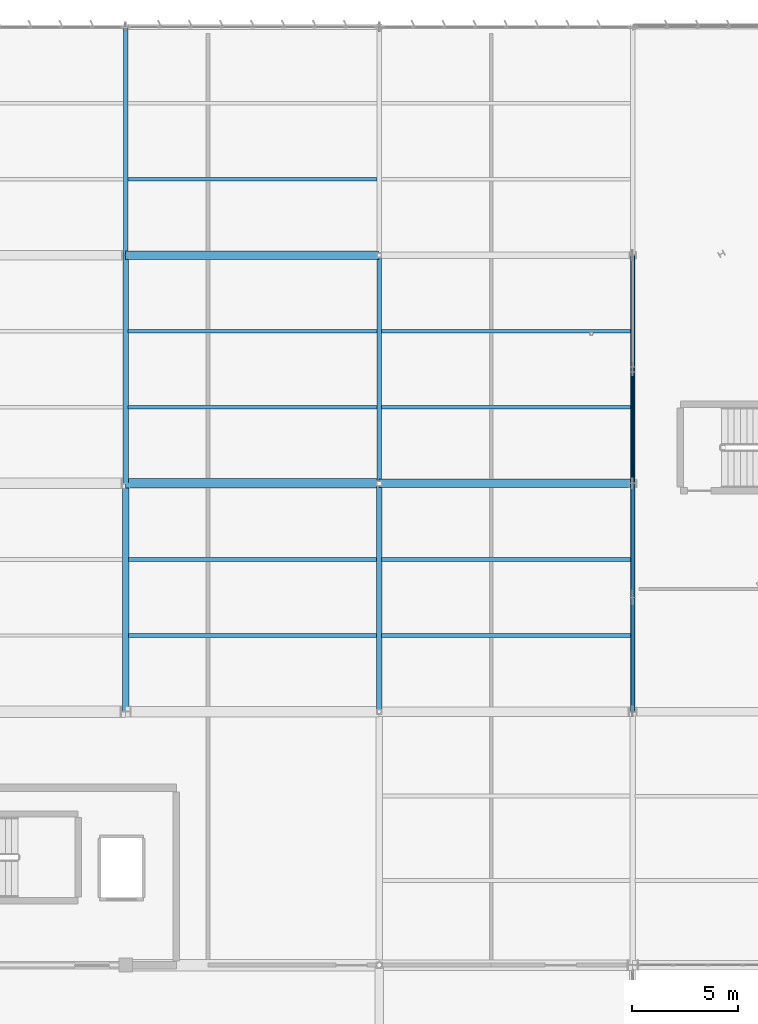
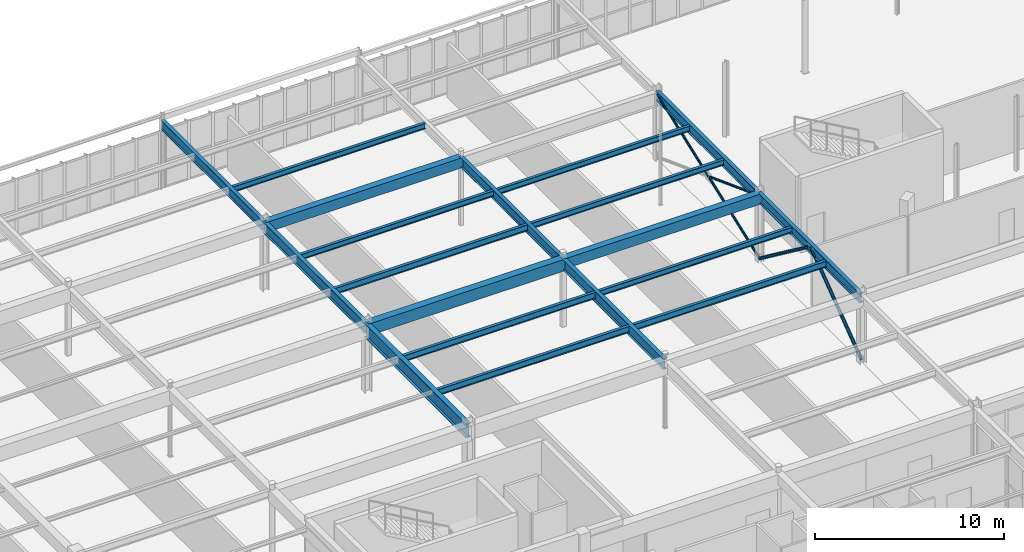
# One storey, part 93 of 226: 19 beams, 4 members.
"""IFC4 building model written with IfcOpenShell, lengths in metres."""

from ifc_helpers import new_model, si_unit, direction, frame, origin, origin_2d, place, context, subcontext, project, spatial, rectangle, hollow_circle, i_section, extrude, material, material_profile, profile_set, type_object, element, save


model = new_model("IFC4")

# Units and contexts
model_context = context("Model", 3, precision=1e-05, world=origin(), true_north=direction((0.0, 1.0)))
body_context = subcontext(model_context, "Body", "Model", "MODEL_VIEW")
ifc_project = project(units=[si_unit("LENGTHUNIT", "METRE"), si_unit("AREAUNIT", "SQUARE_METRE"), si_unit("VOLUMEUNIT", "CUBIC_METRE"), si_unit("PLANEANGLEUNIT", "RADIAN"), si_unit("MASSUNIT", "GRAM", prefix="KILO")], contexts=[model_context])

# Site, building, storey
site_placement = place(None, origin())
site = spatial("IfcSite", under=ifc_project, at=site_placement, CompositionType="ELEMENT")
building_placement = place(site_placement, origin())
building = spatial("IfcBuilding", under=site, at=building_placement, Name="Tarnwether General Hospital", CompositionType="ELEMENT")
storey_placement = place(building_placement, frame((0.0, 0.0, 4.800048828125)))
storey = spatial("IfcBuildingStorey", under=building, at=storey_placement, Name="L01", CompositionType="ELEMENT", Elevation=4.800048828125)

# Beams
ifc_material_1 = material(Name="Steel Grade 350 (350 MPa)", Category="steel")
ifc_material_profile_1 = material_profile(ifc_material_1, i_section(OverallWidth=0.300048828125, OverallDepth=0.89990234375, WebThickness=0.011962890625, FlangeThickness=0.02001953125, at=origin_2d()), Name="900WB175")
ifc_profile_set_1 = profile_set([ifc_material_profile_1], Name="Steel Grade 350 (350 MPa)")
beam_type_1 = type_object("IfcBeamType", Name="BM-G01", PredefinedType="BEAM", material=ifc_profile_set_1)
beam_1_placement = place(storey_placement, frame((36.0, 93.60009765625, 3.97998046875), z_axis=(0.0, 1.0, 0.0), x_axis=(-1.0, 0.0, 0.0)))
element("IfcBeam", 1, at=beam_1_placement, inside=storey, type_object=beam_type_1, Name="Primary Girder BMG-L01-3600_9360-3600_10440-1097", PredefinedType="BEAM", context=body_context, shape_type="SweptSolid", body=[
    extrude(i_section(OverallWidth=0.300048828125, OverallDepth=0.89990234375, WebThickness=0.011962890625, FlangeThickness=0.02001953125, at=origin_2d()), origin(), (0.0, 0.0, 1.0), 10.7998046875),
])
ifc_material_2 = material(Name="Steel Grade 350 (350 MPa)", Category="steel")
ifc_material_profile_2 = material_profile(ifc_material_2, i_section(OverallWidth=0.25, OverallDepth=0.69189453125, WebThickness=0.009033203125, FlangeThickness=0.01611328125, at=origin_2d()), Name="700WB115")
ifc_profile_set_2 = profile_set([ifc_material_profile_2], Name="Steel Grade 350 (350 MPa)")
beam_type_2 = type_object("IfcBeamType", Name="BM-G02", PredefinedType="BEAM", material=ifc_profile_set_2)
beam_2_placement = place(storey_placement, frame((36.0, 104.39990234375, 4.083984375), z_axis=(0.0, 1.0, 0.0), x_axis=(-1.0, 0.0, 0.0)))
element("IfcBeam", 2, at=beam_2_placement, inside=storey, type_object=beam_type_2, Name="Primary Girder BMG-L01-3600_10440-3600_11520-1099", PredefinedType="BEAM", context=body_context, shape_type="SweptSolid", body=[
    extrude(i_section(OverallWidth=0.25, OverallDepth=0.69189453125, WebThickness=0.009033203125, FlangeThickness=0.01611328125, at=origin_2d()), origin(), (0.0, 0.0, 1.0), 10.800048828125),
])
beam_3_placement = place(storey_placement, frame((48.0, 93.60009765625, 4.083984375), z_axis=(0.0, 1.0, 0.0), x_axis=(-1.0, 0.0, 0.0)))
element("IfcBeam", 3, at=beam_3_placement, inside=storey, type_object=beam_type_2, Name="Primary Girder BMG-L01-4800_9360-4800_10440-1112", PredefinedType="BEAM", context=body_context, shape_type="SweptSolid", body=[
    extrude(i_section(OverallWidth=0.25, OverallDepth=0.69189453125, WebThickness=0.009033203125, FlangeThickness=0.01611328125, at=origin_2d()), origin(), (0.0, 0.0, 1.0), 10.7998046875),
])
ifc_material_3 = material(Name="Steel Grade 350 (350 MPa)", Category="steel")
ifc_material_profile_3 = material_profile(ifc_material_3, i_section(OverallWidth=0.22900390625, OverallDepth=0.612060546875, WebThickness=0.011962890625, FlangeThickness=0.01953125, at=origin_2d()), Name="610UB125")
ifc_profile_set_3 = profile_set([ifc_material_profile_3], Name="Steel Grade 350 (350 MPa)")
beam_type_3 = type_object("IfcBeamType", Name="BM-G03", PredefinedType="BEAM", material=ifc_profile_set_3)
for number, where, z_axis, x_axis, name in (
    (4, (36.0, 115.199951171875, 4.1240234375), (0.0, 1.0, 0.0), (-1.0, 0.0, 0.0), "Primary Girder BMG-L01-3600_11520-3600_12600-1101"),
    (5, (48.0, 104.39990234375, 4.1240234375), (0.0, 1.0, 0.0), (-1.0, 0.0, 0.0), "Primary Girder BMG-L01-4800_10440-4800_11520-1114"),
):
    element("IfcBeam", number, at=place(storey_placement, frame(where, z_axis=z_axis, x_axis=x_axis)), inside=storey, type_object=beam_type_3, Name=name, PredefinedType="BEAM", context=body_context, shape_type="SweptSolid", body=[
        extrude(i_section(OverallWidth=0.22900390625, OverallDepth=0.612060546875, WebThickness=0.011962890625, FlangeThickness=0.01953125, at=origin_2d()), origin(), (0.0, 0.0, 1.0), 10.800048828125),
    ])
beam_4_placement = place(storey_placement, frame((60.0, 93.60009765625, 4.138916015625), z_axis=(0.0, 1.0, 0.0), x_axis=(-1.0, 0.0, 0.0)))
element("IfcBeam", 6, at=beam_4_placement, inside=storey, type_object=beam_type_3, Name="Primary Girder BMG-L01-6000_9360-6000_10440-1131", PredefinedType="BEAM", context=body_context, shape_type="SweptSolid", body=[
    extrude(i_section(OverallWidth=0.22900390625, OverallDepth=0.612060546875, WebThickness=0.011962890625, FlangeThickness=0.01953125, at=origin_2d()), origin(), (0.0, 0.0, 1.0), 10.7998046875),
])
ifc_material_4 = material(Name="Steel Grade 350 (350 MPa)", Category="steel")
ifc_material_profile_4 = material_profile(ifc_material_4, i_section(OverallWidth=0.22802734375, OverallDepth=0.60693359375, WebThickness=0.01123046875, FlangeThickness=0.017333984375, at=origin_2d()), Name="610UB113")
ifc_profile_set_4 = profile_set([ifc_material_profile_4], Name="Steel Grade 350 (350 MPa)")
beam_type_4 = type_object("IfcBeamType", Name="BM-G04", PredefinedType="BEAM", material=ifc_profile_set_4)
beam_5_placement = place(storey_placement, frame((60.0, 104.39990234375, 4.141357421875), z_axis=(0.0, 1.0, 0.0), x_axis=(-1.0, 0.0, 0.0)))
element("IfcBeam", 7, at=beam_5_placement, inside=storey, type_object=beam_type_4, Name="Primary Girder BMG-L01-6000_10440-6000_11520-1132", PredefinedType="BEAM", context=body_context, shape_type="SweptSolid", body=[
    extrude(i_section(OverallWidth=0.22802734375, OverallDepth=0.60693359375, WebThickness=0.01123046875, FlangeThickness=0.017333984375, at=origin_2d()), origin(), (0.0, 0.0, 1.0), 10.800048828125),
])
ifc_material_5 = material(Name="Concrete 40 MPa", Category="concrete")
ifc_material_profile_5 = material_profile(ifc_material_5, rectangle(XDim=0.449951171875, YDim=0.75, at=origin_2d()), Name="RC-BM-450x750")
ifc_profile_set_5 = profile_set([ifc_material_profile_5], Name="Concrete 40 MPa")
beam_type_5 = type_object("IfcBeamType", Name="BM-G13", PredefinedType="BEAM", material=ifc_profile_set_5)
beam_6_placement = place(storey_placement, frame((36.0, 104.39990234375, 4.054931640625), z_axis=(1.0, 0.0, 0.0), x_axis=(0.0, 1.0, 0.0)))
element("IfcBeam", 8, at=beam_6_placement, inside=storey, type_object=beam_type_5, Name="Primary Girder BMG-L01-3600_10440-4800_10440-1098", PredefinedType="BEAM", context=body_context, shape_type="SweptSolid", body=[
    extrude(rectangle(XDim=0.449951171875, YDim=0.75, at=origin_2d()), origin(), (0.0, 0.0, 1.0), 12.0),
])
ifc_material_6 = material(Name="Concrete 40 MPa", Category="concrete")
ifc_material_profile_6 = material_profile(ifc_material_6, rectangle(XDim=0.39990234375, YDim=0.64990234375, at=origin_2d()), Name="RC-BM-400x650")
ifc_profile_set_6 = profile_set([ifc_material_profile_6], Name="Concrete 40 MPa")
beam_type_6 = type_object("IfcBeamType", Name="BM-G14", PredefinedType="BEAM", material=ifc_profile_set_6)
for number, where, z_axis, x_axis, name in (
    (9, (36.0, 115.199951171875, 4.10498046875), (1.0, 0.0, 0.0), (0.0, 1.0, 0.0), "Primary Girder BMG-L01-3600_11520-4800_11520-1100"),
    (10, (48.0, 104.39990234375, 4.10498046875), (1.0, 0.0, 0.0), (0.0, 1.0, 0.0), "Primary Girder BMG-L01-4800_10440-6000_10440-1113"),
):
    element("IfcBeam", number, at=place(storey_placement, frame(where, z_axis=z_axis, x_axis=x_axis)), inside=storey, type_object=beam_type_6, Name=name, PredefinedType="BEAM", context=body_context, shape_type="SweptSolid", body=[
        extrude(rectangle(XDim=0.39990234375, YDim=0.64990234375, at=origin_2d()), origin(), (0.0, 0.0, 1.0), 12.0),
    ])
ifc_material_7 = material(Name="Steel Grade 350 (350 MPa)", Category="steel")
ifc_material_profile_7 = material_profile(ifc_material_7, i_section(OverallWidth=0.177978515625, OverallDepth=0.406005859375, WebThickness=0.0078125, FlangeThickness=0.0126953125, at=origin_2d()), Name="410UB59.7")
ifc_profile_set_7 = profile_set([ifc_material_profile_7], Name="Steel Grade 350 (350 MPa)")
beam_type_7 = type_object("IfcBeamType", Name="BM-J01", PredefinedType="JOIST", material=ifc_profile_set_7)
beam_7_placement = place(storey_placement, frame((36.14404296875, 97.199951171875, 4.22705078125), z_axis=(1.0, 0.0, 0.0), x_axis=(0.0, 1.0, 0.0)))
element("IfcBeam", 11, at=beam_7_placement, inside=storey, type_object=beam_type_7, Name="Composite Floor Joist BMG-L01-3614_9720-4788_9720-1333", PredefinedType="JOIST", context=body_context, shape_type="SweptSolid", body=[
    extrude(i_section(OverallWidth=0.177978515625, OverallDepth=0.406005859375, WebThickness=0.0078125, FlangeThickness=0.0126953125, at=origin_2d()), origin(), (0.0, 0.0, 1.0), 11.737060546875),
])
ifc_material_8 = material(Name="Steel Grade 350 (350 MPa)", Category="steel")
ifc_material_profile_8 = material_profile(ifc_material_8, i_section(OverallWidth=0.177978515625, OverallDepth=0.403076171875, WebThickness=0.007568359375, FlangeThickness=0.010986328125, at=origin_2d()), Name="410UB53.7")
ifc_profile_set_8 = profile_set([ifc_material_profile_8], Name="Steel Grade 350 (350 MPa)")
beam_type_8 = type_object("IfcBeamType", Name="BM-J02", PredefinedType="JOIST", material=ifc_profile_set_8)
beam_8_placement = place(storey_placement, frame((36.14404296875, 100.800048828125, 4.228515625), z_axis=(1.0, 0.0, 0.0), x_axis=(0.0, 1.0, 0.0)))
element("IfcBeam", 12, at=beam_8_placement, inside=storey, type_object=beam_type_8, Name="Composite Floor Joist BMG-L01-3614_10080-4788_10080-1334", PredefinedType="JOIST", context=body_context, shape_type="SweptSolid", body=[
    extrude(i_section(OverallWidth=0.177978515625, OverallDepth=0.403076171875, WebThickness=0.007568359375, FlangeThickness=0.010986328125, at=origin_2d()), origin(), (0.0, 0.0, 1.0), 11.737060546875),
])
for number, where, z_axis, x_axis, name in (
    (13, (36.118896484375, 108.0, 4.228515625), (1.0, 0.0, 0.0), (0.0, 1.0, 0.0), "Composite Floor Joist BMG-L01-3612_10800-4789_10800-1335"),
    (14, (48.118896484375, 97.199951171875, 4.228515625), (1.0, 0.0, 0.0), (0.0, 1.0, 0.0), "Composite Floor Joist BMG-L01-4812_9720-5989_9720-1347"),
):
    element("IfcBeam", number, at=place(storey_placement, frame(where, z_axis=z_axis, x_axis=x_axis)), inside=storey, type_object=beam_type_8, Name=name, PredefinedType="JOIST", context=body_context, shape_type="SweptSolid", body=[
        extrude(i_section(OverallWidth=0.177978515625, OverallDepth=0.403076171875, WebThickness=0.007568359375, FlangeThickness=0.010986328125, at=origin_2d()), origin(), (0.0, 0.0, 1.0), 11.773193359375),
    ])
ifc_material_9 = material(Name="Steel Grade 350 (350 MPa)", Category="steel")
ifc_material_profile_9 = material_profile(ifc_material_9, i_section(OverallWidth=0.172119140625, OverallDepth=0.35888671875, WebThickness=0.008056640625, FlangeThickness=0.012939453125, at=origin_2d()), Name="360UB56.7")
ifc_profile_set_9 = profile_set([ifc_material_profile_9], Name="Steel Grade 350 (350 MPa)")
beam_type_9 = type_object("IfcBeamType", Name="BM-J03", PredefinedType="JOIST", material=ifc_profile_set_9)
beam_9_placement = place(storey_placement, frame((36.118896484375, 111.60009765625, 4.25048828125), z_axis=(1.0, 0.0, 0.0), x_axis=(0.0, 1.0, 0.0)))
element("IfcBeam", 15, at=beam_9_placement, inside=storey, type_object=beam_type_9, Name="Composite Floor Joist BMG-L01-3612_11160-4789_11160-1336", PredefinedType="JOIST", context=body_context, shape_type="SweptSolid", body=[
    extrude(i_section(OverallWidth=0.172119140625, OverallDepth=0.35888671875, WebThickness=0.008056640625, FlangeThickness=0.012939453125, at=origin_2d()), origin(), (0.0, 0.0, 1.0), 11.773193359375),
])
beam_10_placement = place(storey_placement, frame((36.10791015625, 118.800048828125, 4.25048828125), z_axis=(1.0, 0.0, 0.0), x_axis=(0.0, 1.0, 0.0)))
element("IfcBeam", 16, at=beam_10_placement, inside=storey, type_object=beam_type_9, Name="Composite Floor Joist BMG-L01-3611_11880-4789_11880-1337", PredefinedType="JOIST", context=body_context, shape_type="SweptSolid", body=[
    extrude(i_section(OverallWidth=0.172119140625, OverallDepth=0.35888671875, WebThickness=0.008056640625, FlangeThickness=0.012939453125, at=origin_2d()), origin(), (0.0, 0.0, 1.0), 11.7841796875),
])
beam_11_placement = place(storey_placement, frame((48.118896484375, 100.800048828125, 4.25048828125), z_axis=(1.0, 0.0, 0.0), x_axis=(0.0, 1.0, 0.0)))
element("IfcBeam", 17, at=beam_11_placement, inside=storey, type_object=beam_type_9, Name="Composite Floor Joist BMG-L01-4812_10080-5989_10080-1348", PredefinedType="JOIST", context=body_context, shape_type="SweptSolid", body=[
    extrude(i_section(OverallWidth=0.172119140625, OverallDepth=0.35888671875, WebThickness=0.008056640625, FlangeThickness=0.012939453125, at=origin_2d()), origin(), (0.0, 0.0, 1.0), 11.773193359375),
])
beam_12_placement = place(storey_placement, frame((48.10791015625, 108.0, 4.25048828125), z_axis=(1.0, 0.0, 0.0), x_axis=(0.0, 1.0, 0.0)))
element("IfcBeam", 18, at=beam_12_placement, inside=storey, type_object=beam_type_9, Name="Composite Floor Joist BMG-L01-4811_10800-5989_10800-1349", PredefinedType="JOIST", context=body_context, shape_type="SweptSolid", body=[
    extrude(i_section(OverallWidth=0.172119140625, OverallDepth=0.35888671875, WebThickness=0.008056640625, FlangeThickness=0.012939453125, at=origin_2d()), origin(), (0.0, 0.0, 1.0), 11.7841796875),
])
ifc_material_10 = material(Name="Steel Grade 350 (350 MPa)", Category="steel")
ifc_material_profile_10 = material_profile(ifc_material_10, i_section(OverallWidth=0.1708984375, OverallDepth=0.35595703125, WebThickness=0.00732421875, FlangeThickness=0.011474609375, at=origin_2d()), Name="360UB50.7")
ifc_profile_set_10 = profile_set([ifc_material_profile_10], Name="Steel Grade 350 (350 MPa)")
beam_type_10 = type_object("IfcBeamType", Name="BM-J04", PredefinedType="JOIST", material=ifc_profile_set_10)
beam_13_placement = place(storey_placement, frame((48.10791015625, 111.60009765625, 4.251953125), z_axis=(1.0, 0.0, 0.0), x_axis=(0.0, 1.0, 0.0)))
element("IfcBeam", 19, at=beam_13_placement, inside=storey, type_object=beam_type_10, Name="Composite Floor Joist BMG-L01-4811_11160-5989_11160-1350", PredefinedType="JOIST", context=body_context, shape_type="SweptSolid", body=[
    extrude(i_section(OverallWidth=0.1708984375, OverallDepth=0.35595703125, WebThickness=0.00732421875, FlangeThickness=0.011474609375, at=origin_2d()), origin(), (0.0, 0.0, 1.0), 11.7841796875),
])

# Members
ifc_material_11 = material(Name="Steel Grade C350L0 (350 MPa)", Category="steel")
ifc_material_profile_11 = material_profile(ifc_material_11, hollow_circle(Radius=0.096923828125, WallThickness=0.008056640625, at=origin_2d()), Name="CHS193.7x8.0")
ifc_profile_set_11 = profile_set([ifc_material_profile_11], Name="Steel Grade C350L0 (350 MPa)")
member_type_1 = type_object("IfcMemberType", Name="MB-BR5", PredefinedType="BRACE", material=ifc_profile_set_11)
for number, where, z_axis, x_axis, name in (
    (20, (60.0, 93.60009765625, 0.139892578125), (0.0, 0.799991319298, 0.600011574095), (-1.0, 0.0, 0.0), "Braced Frame Diagonal 017"),
    (21, (60.0, 104.39990234375, 0.139892578125), (0.0, -0.799991319298, 0.600011574095), (1.0, 0.0, 0.0), "Braced Frame Diagonal 018"),
):
    element("IfcMember", number, at=place(storey_placement, frame(where, z_axis=z_axis, x_axis=x_axis)), inside=storey, type_object=member_type_1, Name=name, PredefinedType="BRACE", context=body_context, shape_type="SweptSolid", body=[
        extrude(hollow_circle(Radius=0.096923828125, WallThickness=0.008056640625, at=origin_2d()), origin(), (0.0, 0.0, 1.0), 6.75),
    ])
ifc_material_12 = material(Name="Steel Grade C350L0 (350 MPa)", Category="steel")
ifc_material_profile_12 = material_profile(ifc_material_12, hollow_circle(Radius=0.06982421875, WallThickness=0.00634765625, at=origin_2d()), Name="CHS139.7x6.4")
ifc_profile_set_12 = profile_set([ifc_material_profile_12], Name="Steel Grade C350L0 (350 MPa)")
member_type_2 = type_object("IfcMemberType", Name="MB-BR6", PredefinedType="BRACE", material=ifc_profile_set_12)
member_1_placement = place(storey_placement, frame((60.0, 104.39990234375, 0.139892578125), z_axis=(0.0, 0.936328307723, 0.351125761169), x_axis=(-1.0, 0.0, 0.0)))
element("IfcMember", 22, at=member_1_placement, inside=storey, type_object=member_type_2, Name="X-Brace Continuous Diagonal 032", PredefinedType="BRACE", context=body_context, shape_type="SweptSolid", body=[
    extrude(hollow_circle(Radius=0.06982421875, WallThickness=0.00634765625, at=origin_2d()), origin(), (0.0, 0.0, 1.0), 11.534423828125),
])
member_2_placement = place(storey_placement, frame((60.0, 109.6689453125, 2.214111328125), z_axis=(0.0, -0.936332743402, 0.351113932553), x_axis=(1.0, 0.0, 0.0)))
element("IfcMember", 23, at=member_2_placement, inside=storey, type_object=member_type_2, Name="X-Brace Upper Split Diagonal 034", PredefinedType="BRACE", context=body_context, shape_type="SweptSolid", body=[
    extrude(hollow_circle(Radius=0.06982421875, WallThickness=0.00634765625, at=origin_2d()), origin(), (0.0, 0.0, 1.0), 5.627197265625),
])

save(model, "model.ifc")
